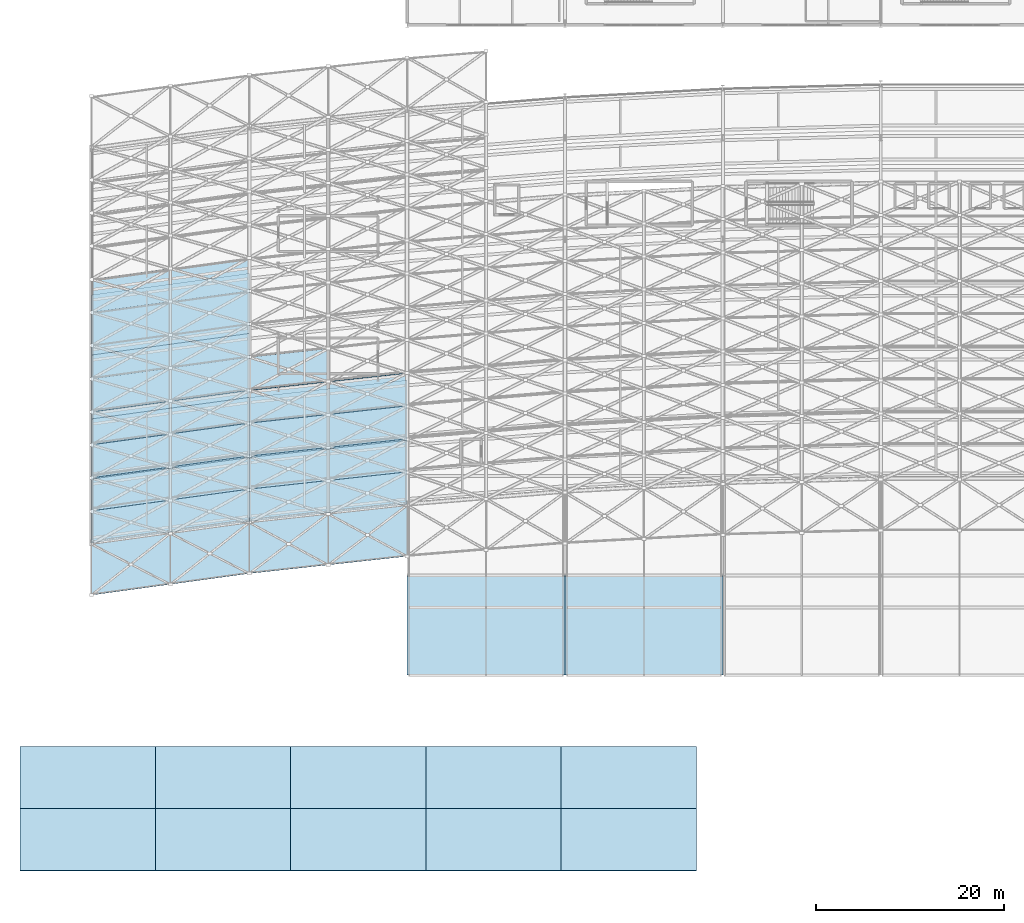
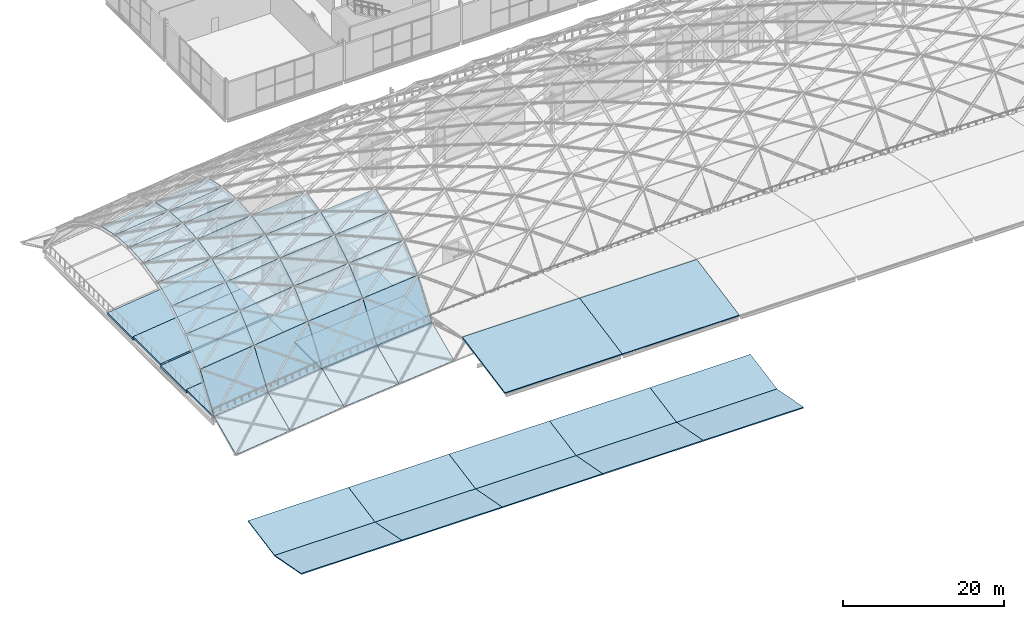
# One storey, part 63 of 100: 29 plates, 18 slabs.
"""IFC4 building model written with IfcOpenShell, lengths in metres."""

from ifc_helpers import new_model, si_unit, direction, frame, origin, place, context, subcontext, project, spatial, polyline, outline, extrude, material, layer, layer_set, type_object, element, save


model = new_model("IFC4")

# Units and contexts
model_context = context("Model", 3, precision=1e-05, world=origin(), true_north=direction((0.0, 1.0)))
body_context = subcontext(model_context, "Body", "Model", "MODEL_VIEW")
ifc_project = project(units=[si_unit("LENGTHUNIT", "METRE"), si_unit("AREAUNIT", "SQUARE_METRE"), si_unit("VOLUMEUNIT", "CUBIC_METRE"), si_unit("PLANEANGLEUNIT", "RADIAN"), si_unit("MASSUNIT", "GRAM", prefix="KILO")], contexts=[model_context])

# Site, building, storey
site_placement = place(None, origin())
site = spatial("IfcSite", under=ifc_project, at=site_placement, CompositionType="ELEMENT")
building_placement = place(site_placement, origin())
building = spatial("IfcBuilding", under=site, at=building_placement, Name="Kimbaza Rail Terminus", CompositionType="ELEMENT")
storey_placement = place(building_placement, frame((0.0, 0.0, 10.800048828125)))
storey = spatial("IfcBuildingStorey", under=building, at=storey_placement, Name="L02", CompositionType="ELEMENT", Elevation=10.800048828125)

# Plates
ifc_material_1 = material(Name="Insulated pearl-white aluminium cassette", Category="aluminium")
ifc_layer_1 = layer(ifc_material_1, 0.054931640625)
ifc_layer_set_1 = layer_set([ifc_layer_1], Name="Insulated pearl-white aluminium cassette")
plate_type_1 = type_object("IfcPlateType", Name="ARC-PL-VAL-01", PredefinedType="SHEET", material=ifc_layer_set_1)
plate_1_placement = place(storey_placement, frame((21.60498046875, 42.33056640625, -2.39990234375), z_axis=(0.056562472149, -0.41314047139, 0.908909037057), x_axis=(0.990757747619, 0.135643228847, 0.0)))
element("IfcPlate", 1, at=plate_1_placement, inside=storey, type_object=plate_type_1, Name="Vault Insulated Aluminium Cassette VR-00-VA00", PredefinedType="SHEET", context=body_context, shape_type="SweptSolid", body=[
    extrude(outline(polyline([(0.0, 0.0), (8.468403844339614, -2.220446049250313e-16), (9.214441602997093, 5.995283784997782), (0.7460377586574786, 5.995283784997782), (0.0, 0.0)])), origin(), (0.0, 0.0, -1.0), 0.054931640625),
])
plate_2_placement = place(storey_placement, frame((30.0048828125, 43.479248046875, -2.39990234375), z_axis=(0.056574455455, -0.413140190432, 0.908908418951), x_axis=(0.990753872834, 0.135671527834, 0.0)))
element("IfcPlate", 2, at=plate_2_placement, inside=storey, type_object=plate_type_1, Name="Vault Insulated Aluminium Cassette VR-01-VA00", PredefinedType="SHEET", context=body_context, shape_type="SweptSolid", body=[
    extrude(outline(polyline([(0.0, 0.0), (8.468436963816755, 0.0), (9.214630366905743, 5.995264414951728), (0.7461934030889878, 5.995264414951728), (0.0, 0.0)])), origin(), (0.0, 0.0, -1.0), 0.054931640625),
])
plate_3_placement = place(storey_placement, frame((38.405029296875, 44.628173828125, -2.39990234375), z_axis=(0.045133319265, -0.413381267737, 0.909438789021), x_axis=(0.994092533341, 0.108535870365, 0.0)))
element("IfcPlate", 3, at=plate_3_placement, inside=storey, type_object=plate_type_1, Name="Vault Insulated Aluminium Cassette VR-02-VA00", PredefinedType="SHEET", context=body_context, shape_type="SweptSolid", body=[
    extrude(outline(polyline([(0.0, 0.0), (8.43975012057354, 0.0), (9.036697407581325, 6.0119592427539), (0.5969472870077849, 6.0119592427539), (0.0, 0.0)])), origin(), (0.0, 0.0, -1.0), 0.054931640625),
])
plate_4_placement = place(storey_placement, frame((46.804931640625, 45.544189453125, -2.39990234375), z_axis=(0.045120004332, -0.413381516627, 0.90943933658), x_axis=(0.994095994634, 0.108504163297, 0.0)))
element("IfcPlate", 4, at=plate_4_placement, inside=storey, type_object=plate_type_1, Name="Vault Insulated Aluminium Cassette VR-03-VA00", PredefinedType="SHEET", context=body_context, shape_type="SweptSolid", body=[
    extrude(outline(polyline([(0.0, 0.0), (8.43996632522378, 0.0), (9.036739223358413, 6.011976555846837), (0.5967728981346325, 6.011976555846837), (0.0, 0.0)])), origin(), (0.0, 0.0, -1.0), 0.054931640625),
])
ifc_material_2 = material(Name="Insulated pearl-white aluminium cassette", Category="aluminium")
ifc_layer_2 = layer(ifc_material_2, 0.056884765625)
ifc_layer_set_2 = layer_set([ifc_layer_2], Name="Insulated pearl-white aluminium cassette")
plate_type_2 = type_object("IfcPlateType", Name="ARC-PL-VAL-02", PredefinedType="SHEET", material=ifc_layer_set_2)
plate_5_placement = place(storey_placement, frame((21.60498046875, 47.784912109375, 0.06494140625), z_axis=(0.111797155631, -0.81658258245, 0.566298756869), x_axis=(0.990757747619, 0.135643228847, 0.0)))
element("IfcPlate", 5, at=plate_5_placement, inside=storey, type_object=plate_type_2, Name="Vault Insulated Aluminium Cassette VR-00-VA01", PredefinedType="SHEET", context=body_context, shape_type="SweptSolid", body=[
    extrude(outline(polyline([(0.0, 0.0), (8.468403844339614, 0.0), (8.943155145303464, 6.123361696638385), (0.47475130096385004, 6.123361696638386), (0.0, 0.0)])), origin(), (0.0, 0.0, -1.0), 0.056884765625),
])
ifc_material_3 = material(Name="Insulated pearl-white aluminium cassette", Category="aluminium")
ifc_layer_3 = layer(ifc_material_3, 0.05908203125)
ifc_layer_set_3 = layer_set([ifc_layer_3], Name="Insulated pearl-white aluminium cassette")
plate_type_3 = type_object("IfcPlateType", Name="ARC-PL-VAL-03", PredefinedType="SHEET", material=ifc_layer_set_3)
plate_6_placement = place(storey_placement, frame((21.60498046875, 51.300048828125, 5.1318359375), z_axis=(0.091339043118, -0.6671535719, 0.739299188897), x_axis=(0.990757747619, 0.135643228847, 0.0)))
element("IfcPlate", 6, at=plate_6_placement, inside=storey, type_object=plate_type_3, Name="Vault Insulated Aluminium Cassette VR-00-VA02", PredefinedType="SHEET", context=body_context, shape_type="SweptSolid", body=[
    extrude(outline(polyline([(0.0, 0.0), (8.468403844339614, -1.1102230246251565e-16), (8.943155145303464, 4.69045843516038), (0.47475130096385, 4.690458435160381), (0.0, 0.0)])), origin(), (0.0, 0.0, -1.0), 0.05908203125),
])
ifc_material_4 = material(Name="Insulated pearl-white aluminium cassette", Category="aluminium")
ifc_layer_4 = layer(ifc_material_4, 0.06103515625)
ifc_layer_set_4 = layer_set([ifc_layer_4], Name="Insulated pearl-white aluminium cassette")
plate_type_4 = type_object("IfcPlateType", Name="ARC-PL-VAL-04", PredefinedType="SHEET", material=ifc_layer_set_4)
plate_7_placement = place(storey_placement, frame((21.60498046875, 54.81591796875, 8.304443359375), z_axis=(0.071074825118, -0.519140794902, 0.851728362979), x_axis=(0.990757747619, 0.135643228847, 0.0)))
element("IfcPlate", 7, at=plate_7_placement, inside=storey, type_object=plate_type_4, Name="Vault Insulated Aluminium Cassette VR-00-VA03", PredefinedType="SHEET", context=body_context, shape_type="SweptSolid", body=[
    extrude(outline(polyline([(0.0, 0.0), (8.468403844339614, -1.1102230246251565e-16), (8.943155145303464, 4.071312248589512), (0.47475130096385, 4.071312248589512), (0.0, 0.0)])), origin(), (0.0, 0.0, -1.0), 0.06103515625),
])
ifc_material_5 = material(Name="Insulated pearl-white aluminium cassette", Category="aluminium")
ifc_layer_5 = layer(ifc_material_5, 0.06298828125)
ifc_layer_set_5 = layer_set([ifc_layer_5], Name="Insulated pearl-white aluminium cassette")
plate_type_5 = type_object("IfcPlateType", Name="ARC-PL-VAL-05", PredefinedType="SHEET", material=ifc_layer_set_5)
plate_8_placement = place(storey_placement, frame((21.60498046875, 58.332275390625, 10.4482421875), z_axis=(0.050811530578, -0.371055898819, 0.927219342072), x_axis=(0.990753872834, 0.135671527834, 0.0)))
element("IfcPlate", 8, at=plate_8_placement, inside=storey, type_object=plate_type_5, Name="Vault Insulated Aluminium Cassette VR-00-VA04", PredefinedType="SHEET", context=body_context, shape_type="SweptSolid", body=[
    extrude(outline(polyline([(0.0, 0.0), (8.468436963816755, 0.0), (8.94328731123702, 3.739825516549169), (0.474850347420265, 3.7398255165491685), (0.0, 0.0)])), origin(), (0.0, 0.0, -1.0), 0.06298828125),
])
ifc_material_6 = material(Name="Insulated pearl-white aluminium cassette", Category="aluminium")
ifc_layer_6 = layer(ifc_material_6, 0.06494140625)
ifc_layer_set_6 = layer_set([ifc_layer_6], Name="Insulated pearl-white aluminium cassette")
plate_type_6 = type_object("IfcPlateType", Name="ARC-PL-VAL-06", PredefinedType="SHEET", material=ifc_layer_set_6)
plate_9_placement = place(storey_placement, frame((21.60498046875, 61.849365234375, 11.856201171875), z_axis=(0.030494206868, -0.222734094205, 0.974402189358), x_axis=(0.990757747619, 0.135643228847, 0.0)))
element("IfcPlate", 9, at=plate_9_placement, inside=storey, type_object=plate_type_6, Name="Vault Insulated Aluminium Cassette VR-00-VA05", PredefinedType="SHEET", context=body_context, shape_type="SweptSolid", body=[
    extrude(outline(polyline([(0.0, 0.0), (8.468403844339614, 0.0), (8.943155145303464, 3.5587482812946067), (0.47475130096385, 3.5587482812946067), (0.0, 0.0)])), origin(), (0.0, 0.0, -1.0), 0.06494140625),
])
ifc_material_7 = material(Name="Insulated pearl-white aluminium cassette", Category="aluminium")
ifc_layer_7 = layer(ifc_material_7, 0.06689453125)
ifc_layer_set_7 = layer_set([ifc_layer_7], Name="Insulated pearl-white aluminium cassette")
plate_type_7 = type_object("IfcPlateType", Name="ARC-PL-VAL-07", PredefinedType="SHEET", material=ifc_layer_set_7)
plate_10_placement = place(storey_placement, frame((21.60498046875, 65.366943359375, 12.660888671875), z_axis=(0.010172832815, -0.074288051956, 0.997184937115), x_axis=(0.990753872834, 0.135671527834, 0.0)))
element("IfcPlate", 10, at=plate_10_placement, inside=storey, type_object=plate_type_7, Name="Vault Insulated Aluminium Cassette VR-00-VA06", PredefinedType="SHEET", context=body_context, shape_type="SweptSolid", body=[
    extrude(outline(polyline([(0.0, 0.0), (8.468436963816755, 0.0), (8.94328731123702, 3.4774277326634895), (0.474850347420265, 3.47742773266349), (0.0, 0.0)])), origin(), (0.0, 0.0, -1.0), 0.06689453125),
])
ifc_material_8 = material(Name="Insulated pearl-white aluminium cassette", Category="aluminium")
ifc_layer_8 = layer(ifc_material_8, 0.069091796875)
ifc_layer_set_8 = layer_set([ifc_layer_8], Name="Insulated pearl-white aluminium cassette")
plate_type_8 = type_object("IfcPlateType", Name="ARC-PL-VAL-08", PredefinedType="SHEET", material=ifc_layer_set_8)
plate_11_placement = place(storey_placement, frame((21.60498046875, 68.88525390625, 12.923583984375), z_axis=(-0.010170671365, 0.074288053589, 0.997184959041), x_axis=(0.990757747619, 0.135643228847, 0.0)))
element("IfcPlate", 11, at=plate_11_placement, inside=storey, type_object=plate_type_8, Name="Vault Insulated Aluminium Cassette VR-00-VA07", PredefinedType="SHEET", context=body_context, shape_type="SweptSolid", body=[
    extrude(outline(polyline([(0.0, 0.0), (8.468403844339614, 0.0), (8.943155145303464, 3.477441256236461), (0.47475130096385, 3.477441256236461), (0.0, 0.0)])), origin(), (0.0, 0.0, -1.0), 0.069091796875),
])
ifc_material_9 = material(Name="Insulated pearl-white aluminium cassette", Category="aluminium")
ifc_layer_9 = layer(ifc_material_9, 0.071044921875)
ifc_layer_set_9 = layer_set([ifc_layer_9], Name="Insulated pearl-white aluminium cassette")
plate_type_9 = type_object("IfcPlateType", Name="ARC-PL-VAL-09", PredefinedType="SHEET", material=ifc_layer_set_9)
plate_12_placement = place(storey_placement, frame((21.60498046875, 72.404052734375, 12.662109375), z_axis=(-0.030494206868, 0.222734094205, 0.974402189358), x_axis=(0.990757747619, 0.135643228847, 0.0)))
element("IfcPlate", 12, at=plate_12_placement, inside=storey, type_object=plate_type_9, Name="Vault Insulated Aluminium Cassette VR-00-VA08", PredefinedType="SHEET", context=body_context, shape_type="SweptSolid", body=[
    extrude(outline(polyline([(0.0, 0.0), (8.468403844339614, 0.0), (8.943155145303464, 3.5587482812946067), (0.47475130096385, 3.5587482812946067), (0.0, 0.0)])), origin(), (0.0, 0.0, -1.0), 0.071044921875),
])
ifc_material_10 = material(Name="Laminated solar-control low-E glass", Category="glass")
ifc_layer_10 = layer(ifc_material_10, 0.028076171875)
ifc_layer_set_10 = layer_set([ifc_layer_10], Name="Laminated solar-control low-E glass")
plate_type_10 = type_object("IfcPlateType", Name="ARC-PL-VGL-02", PredefinedType="SHEET", material=ifc_layer_set_10)
plate_13_placement = place(storey_placement, frame((30.0048828125, 48.957275390625, 0.048095703125), z_axis=(0.111797155631, -0.81658258245, 0.566298756869), x_axis=(0.990757747619, 0.135643228847, 0.0)))
element("IfcPlate", 13, at=plate_13_placement, inside=storey, type_object=plate_type_10, Name="Vault Solar Glass Cassette VR-01-VA01", PredefinedType="SHEET", context=body_context, shape_type="SweptSolid", body=[
    extrude(outline(polyline([(0.0, 0.0), (8.468403844339614, 0.0), (8.943155145303464, 6.123361696638385), (0.47475130096385004, 6.123361696638386), (0.0, 0.0)])), origin(), (0.0, 0.0, -1.0), 0.028076171875),
])
plate_14_placement = place(storey_placement, frame((38.405029296875, 50.10595703125, 0.048095703125), z_axis=(0.089358703495, -0.818446653945, 0.567591487565), x_axis=(0.994092533341, 0.108535870365, 0.0)))
element("IfcPlate", 14, at=plate_14_placement, inside=storey, type_object=plate_type_10, Name="Vault Solar Glass Cassette VR-02-VA01", PredefinedType="SHEET", context=body_context, shape_type="SweptSolid", body=[
    extrude(outline(polyline([(0.0, 0.0), (8.43975012057354, 0.0), (8.819625666851223, 6.129978942456918), (0.3798755462776812, 6.129978942456918), (0.0, 0.0)])), origin(), (0.0, 0.0, -1.0), 0.028076171875),
])
plate_15_placement = place(storey_placement, frame((46.804931640625, 51.02197265625, 0.048095703125), z_axis=(0.089332498532, -0.818448585594, 0.567592827161), x_axis=(0.994095994634, 0.108504163297, 0.0)))
element("IfcPlate", 15, at=plate_15_placement, inside=storey, type_object=plate_type_10, Name="Vault Solar Glass Cassette VR-03-VA01", PredefinedType="SHEET", context=body_context, shape_type="SweptSolid", body=[
    extrude(outline(polyline([(0.0, 0.0), (8.43996632522378, 0.0), (8.819730896764002, 6.12998581856662), (0.3797645715402207, 6.129985818566619), (0.0, 0.0)])), origin(), (0.0, 0.0, -1.0), 0.028076171875),
])
ifc_material_11 = material(Name="Laminated solar-control low-E glass", Category="glass")
ifc_layer_11 = layer(ifc_material_11, 0.030029296875)
ifc_layer_set_11 = layer_set([ifc_layer_11], Name="Laminated solar-control low-E glass")
plate_type_11 = type_object("IfcPlateType", Name="ARC-PL-VGL-03", PredefinedType="SHEET", material=ifc_layer_set_11)
plate_16_placement = place(storey_placement, frame((30.0048828125, 52.46826171875, 5.110107421875), z_axis=(0.091342901813, -0.667181756369, 0.739273277115), x_axis=(0.990757747619, 0.135643228847, 0.0)))
element("IfcPlate", 16, at=plate_16_placement, inside=storey, type_object=plate_type_11, Name="Vault Solar Glass Cassette VR-01-VA02", PredefinedType="SHEET", context=body_context, shape_type="SweptSolid", body=[
    extrude(outline(polyline([(0.0, 0.0), (8.468403844339614, -1.1102230246251565e-16), (8.943155145303464, 4.690622837337354), (0.47475130096385004, 4.690622837337355), (0.0, 0.0)])), origin(), (0.0, 0.0, -1.0), 0.030029296875),
])
plate_17_placement = place(storey_placement, frame((38.405029296875, 53.616943359375, 5.110107421875), z_axis=(0.072954351367, -0.668197304028, 0.740398558552), x_axis=(0.994092533341, 0.108535870365, 0.0)))
element("IfcPlate", 17, at=plate_17_placement, inside=storey, type_object=plate_type_11, Name="Vault Solar Glass Cassette VR-02-VA02", PredefinedType="SHEET", context=body_context, shape_type="SweptSolid", body=[
    extrude(outline(polyline([(0.0, 0.0), (8.43975012057354, -2.220446049250313e-16), (8.819625666851223, 4.699258023268975), (0.3798755462776812, 4.699258023268975), (0.0, 0.0)])), origin(), (0.0, 0.0, -1.0), 0.030029296875),
])
plate_18_placement = place(storey_placement, frame((46.804931640625, 54.532958984375, 5.110107421875), z_axis=(0.072932899678, -0.668198355193, 0.740399723299), x_axis=(0.994095994634, 0.108504163297, 0.0)))
element("IfcPlate", 18, at=plate_18_placement, inside=storey, type_object=plate_type_11, Name="Vault Solar Glass Cassette VR-03-VA02", PredefinedType="SHEET", context=body_context, shape_type="SweptSolid", body=[
    extrude(outline(polyline([(0.0, 0.0), (8.43996632522378, 1.1102230246251565e-16), (8.819730896764002, 4.699266992853298), (0.3797645715402207, 4.699266992853298), (0.0, 0.0)])), origin(), (0.0, 0.0, -1.0), 0.030029296875),
])
ifc_material_12 = material(Name="Laminated solar-control low-E glass", Category="glass")
ifc_layer_12 = layer(ifc_material_12, 0.031982421875)
ifc_layer_set_12 = layer_set([ifc_layer_12], Name="Laminated solar-control low-E glass")
plate_type_12 = type_object("IfcPlateType", Name="ARC-PL-VGL-04", PredefinedType="SHEET", material=ifc_layer_set_12)
plate_19_placement = place(storey_placement, frame((30.0048828125, 55.979736328125, 8.27978515625), z_axis=(0.071068924107, -0.519097693062, 0.85175512507), x_axis=(0.990757747619, 0.135643228847, 0.0)))
element("IfcPlate", 19, at=plate_19_placement, inside=storey, type_object=plate_type_12, Name="Vault Solar Glass Cassette VR-01-VA03", PredefinedType="SHEET", context=body_context, shape_type="SweptSolid", body=[
    extrude(outline(polyline([(0.0, 0.0), (8.468403844339614, 0.0), (8.943155145303464, 4.071184328220419), (0.47475130096385, 4.071184328220419), (0.0, 0.0)])), origin(), (0.0, 0.0, -1.0), 0.031982421875),
])
plate_20_placement = place(storey_placement, frame((38.405029296875, 57.12841796875, 8.27978515625), z_axis=(0.056727704658, -0.519575578514, 0.852539257592), x_axis=(0.994092533341, 0.108535870365, 0.0)))
element("IfcPlate", 20, at=plate_20_placement, inside=storey, type_object=plate_type_12, Name="Vault Solar Glass Cassette VR-02-VA03", PredefinedType="SHEET", context=body_context, shape_type="SweptSolid", body=[
    extrude(outline(polyline([(0.0, 0.0), (8.43975012057354, 0.0), (8.819625666851223, 4.0811303828050685), (0.3798755462776813, 4.0811303828050685), (0.0, 0.0)])), origin(), (0.0, 0.0, -1.0), 0.031982421875),
])
plate_21_placement = place(storey_placement, frame((46.804931640625, 58.04443359375, 8.27978515625), z_axis=(0.056726059277, -0.519575627167, 0.852539337423), x_axis=(0.994092874093, 0.108532749334, 0.0)))
element("IfcPlate", 21, at=plate_21_placement, inside=storey, type_object=plate_type_12, Name="Vault Solar Glass Cassette VR-03-VA03", PredefinedType="SHEET", context=body_context, shape_type="SweptSolid", body=[
    extrude(outline(polyline([(0.0, 0.0), (8.439992818987536, 0.0), (8.819857441654904, 4.08113139957049), (0.37986462266736853, 4.0811313995704905), (0.0, 0.0)])), origin(), (0.0, 0.0, -1.0), 0.031982421875),
])
ifc_material_13 = material(Name="Laminated solar-control low-E glass", Category="glass")
ifc_layer_13 = layer(ifc_material_13, 0.033935546875)
ifc_layer_set_13 = layer_set([ifc_layer_13], Name="Laminated solar-control low-E glass")
plate_type_13 = type_object("IfcPlateType", Name="ARC-PL-VGL-05", PredefinedType="SHEET", material=ifc_layer_set_13)
plate_22_placement = place(storey_placement, frame((30.0048828125, 59.491943359375, 10.421142578125), z_axis=(0.050800761265, -0.371056102366, 0.92721985071), x_axis=(0.990757747619, 0.135643228847, 0.0)))
element("IfcPlate", 22, at=plate_22_placement, inside=storey, type_object=plate_type_13, Name="Vault Solar Glass Cassette VR-01-VA04", PredefinedType="SHEET", context=body_context, shape_type="SweptSolid", body=[
    extrude(outline(polyline([(0.0, 0.0), (8.468403844339614, -2.220446049250313e-16), (8.943155145303464, 3.7398380912695313), (0.47475130096385, 3.7398380912695313), (0.0, 0.0)])), origin(), (0.0, 0.0, -1.0), 0.033935546875),
])
plate_23_placement = place(storey_placement, frame((38.405029296875, 60.640625, 10.421142578125), z_axis=(0.040531265198, -0.371230524658, 0.927655708819), x_axis=(0.994092533341, 0.108535870365, 0.0)))
element("IfcPlate", 23, at=plate_23_placement, inside=storey, type_object=plate_type_13, Name="Vault Solar Glass Cassette VR-02-VA04", PredefinedType="SHEET", context=body_context, shape_type="SweptSolid", body=[
    extrude(outline(polyline([(0.0, 0.0), (8.43975012057354, 0.0), (8.819625666851223, 3.7506629168745125), (0.3798755462776813, 3.7506629168745134), (0.0, 0.0)])), origin(), (0.0, 0.0, -1.0), 0.033935546875),
])
plate_24_placement = place(storey_placement, frame((46.804931640625, 61.556640625, 10.421142578125), z_axis=(0.04051930321, -0.371230704913, 0.927656159252), x_axis=(0.994095994634, 0.108504163297, 0.0)))
element("IfcPlate", 24, at=plate_24_placement, inside=storey, type_object=plate_type_13, Name="Vault Solar Glass Cassette VR-03-VA04", PredefinedType="SHEET", context=body_context, shape_type="SweptSolid", body=[
    extrude(outline(polyline([(0.0, 0.0), (8.43996632522378, 0.0), (8.819730896764002, 3.750674154986043), (0.3797645715402207, 3.7506741549860436), (0.0, 0.0)])), origin(), (0.0, 0.0, -1.0), 0.033935546875),
])
ifc_material_14 = material(Name="Laminated solar-control low-E glass", Category="glass")
ifc_layer_14 = layer(ifc_material_14, 0.035888671875)
ifc_layer_set_14 = layer_set([ifc_layer_14], Name="Laminated solar-control low-E glass")
plate_type_14 = type_object("IfcPlateType", Name="ARC-PL-VGL-06", PredefinedType="SHEET", material=ifc_layer_set_14)
plate_25_placement = place(storey_placement, frame((30.0048828125, 63.004638671875, 11.827880859375), z_axis=(0.030494206868, -0.222734094205, 0.974402189358), x_axis=(0.990757747619, 0.135643228847, 0.0)))
element("IfcPlate", 25, at=plate_25_placement, inside=storey, type_object=plate_type_14, Name="Vault Solar Glass Cassette VR-01-VA05", PredefinedType="SHEET", context=body_context, shape_type="SweptSolid", body=[
    extrude(outline(polyline([(0.0, 0.0), (8.468403844339614, 0.0), (8.943155145303464, 3.5587482812946067), (0.47475130096385, 3.5587482812946067), (0.0, 0.0)])), origin(), (0.0, 0.0, -1.0), 0.035888671875),
])
plate_26_placement = place(storey_placement, frame((38.405029296875, 64.1533203125, 11.827880859375), z_axis=(0.024322415435, -0.22277180342, 0.974567157105), x_axis=(0.994092533341, 0.108535870365, 0.0)))
element("IfcPlate", 26, at=plate_26_placement, inside=storey, type_object=plate_type_14, Name="Vault Solar Glass Cassette VR-02-VA05", PredefinedType="SHEET", context=body_context, shape_type="SweptSolid", body=[
    extrude(outline(polyline([(0.0, 0.0), (8.43975012057354, 0.0), (8.819625666851223, 3.5701222243397246), (0.3798755462776813, 3.570122224339724), (0.0, 0.0)])), origin(), (0.0, 0.0, -1.0), 0.035888671875),
])
ifc_material_15 = material(Name="Laminated solar-control low-E glass", Category="glass")
ifc_layer_15 = layer(ifc_material_15, 0.0380859375)
ifc_layer_set_15 = layer_set([ifc_layer_15], Name="Laminated solar-control low-E glass")
plate_type_15 = type_object("IfcPlateType", Name="ARC-PL-VGL-07", PredefinedType="SHEET", material=ifc_layer_set_15)
plate_27_placement = place(storey_placement, frame((30.0048828125, 66.517822265625, 12.632080078125), z_axis=(0.010163361168, -0.074218884378, 0.997190184113), x_axis=(0.990753872834, 0.135671527834, 0.0)))
element("IfcPlate", 27, at=plate_27_placement, inside=storey, type_object=plate_type_15, Name="Vault Solar Glass Cassette VR-01-VA06", PredefinedType="SHEET", context=body_context, shape_type="SweptSolid", body=[
    extrude(outline(polyline([(0.0, 0.0), (8.468436963816755, 0.0), (8.94328731123702, 3.477409435194617), (0.474850347420265, 3.477409435194617), (0.0, 0.0)])), origin(), (0.0, 0.0, -1.0), 0.0380859375),
])
ifc_material_16 = material(Name="Laminated solar-control low-E glass", Category="glass")
ifc_layer_16 = layer(ifc_material_16, 0.0400390625)
ifc_layer_set_16 = layer_set([ifc_layer_16], Name="Laminated solar-control low-E glass")
plate_type_16 = type_object("IfcPlateType", Name="ARC-PL-VGL-08", PredefinedType="SHEET", material=ifc_layer_set_16)
plate_28_placement = place(storey_placement, frame((30.0048828125, 70.03173828125, 12.894775390625), z_axis=(-0.010172832815, 0.074288051956, 0.997184937115), x_axis=(0.990753872834, 0.135671527834, 0.0)))
element("IfcPlate", 28, at=plate_28_placement, inside=storey, type_object=plate_type_16, Name="Vault Solar Glass Cassette VR-01-VA07", PredefinedType="SHEET", context=body_context, shape_type="SweptSolid", body=[
    extrude(outline(polyline([(0.0, 0.0), (8.468436963816755, 0.0), (8.94328731123702, 3.4774277326634895), (0.474850347420265, 3.47742773266349), (0.0, 0.0)])), origin(), (0.0, 0.0, -1.0), 0.0400390625),
])
ifc_material_17 = material(Name="Laminated solar-control low-E glass", Category="glass")
ifc_layer_17 = layer(ifc_material_17, 0.0419921875)
ifc_layer_set_17 = layer_set([ifc_layer_17], Name="Laminated solar-control low-E glass")
plate_type_17 = type_object("IfcPlateType", Name="ARC-PL-VGL-09", PredefinedType="SHEET", material=ifc_layer_set_17)
plate_29_placement = place(storey_placement, frame((30.0048828125, 73.54638671875, 12.6337890625), z_axis=(-0.030494206868, 0.222734094205, 0.974402189358), x_axis=(0.990757747619, 0.135643228847, 0.0)))
element("IfcPlate", 29, at=plate_29_placement, inside=storey, type_object=plate_type_17, Name="Vault Solar Glass Cassette VR-01-VA08", PredefinedType="SHEET", context=body_context, shape_type="SweptSolid", body=[
    extrude(outline(polyline([(0.0, 0.0), (8.468403844339614, 0.0), (8.943155145303464, 3.5587482812946067), (0.47475130096385, 3.5587482812946067), (0.0, 0.0)])), origin(), (0.0, 0.0, -1.0), 0.0419921875),
])

# Slabs
ifc_material_18 = material(Name="Concrete C40/50", Category="concrete")
ifc_layer_18 = layer(ifc_material_18, 0.14501953125)
ifc_layer_set_18 = layer_set([ifc_layer_18], Name="Concrete C40/50")
slab_type_1 = type_object("IfcSlabType", Name="STR-SL-CN145", PredefinedType="ROOF", material=ifc_layer_set_18)
slab_1_placement = place(storey_placement, frame((14.0, 13.0, 0.050048828125), z_axis=(0.0, 0.186083228677, 0.982533985166), x_axis=(1.0, 0.0, 0.0)))
element("IfcSlab", 30, at=slab_1_placement, inside=storey, type_object=slab_type_1, Name="Forecourt Gull-Wing Canopy South 1", PredefinedType="ROOF", context=body_context, shape_type="SweptSolid", body=[
    extrude(outline(polyline([(0.0, 0.0), (14.39990234375, 0.0), (14.39990234375, 6.717424288522852), (0.0, 6.717424288522852), (0.0, 0.0)])), origin(), (0.0, 0.0, -1.0), 0.14501953125),
])
slab_2_placement = place(storey_placement, frame((14.0, 19.60009765625, -1.199951171875), z_axis=(0.0, -0.186089873865, 0.982532726602), x_axis=(1.0, 0.0, 0.0)))
element("IfcSlab", 31, at=slab_2_placement, inside=storey, type_object=slab_type_1, Name="Forecourt Gull-Wing Canopy North 1", PredefinedType="ROOF", context=body_context, shape_type="SweptSolid", body=[
    extrude(outline(polyline([(0.0, 0.0), (14.39990234375, 0.0), (14.39990234375, 6.71718441221526), (0.0, 6.71718441221526), (0.0, 0.0)])), origin(), (0.0, 0.0, -1.0), 0.14501953125),
])
slab_3_placement = place(storey_placement, frame((28.39990234375, 13.0, 0.050048828125), z_axis=(0.0, 0.186083228677, 0.982533985166), x_axis=(1.0, 0.0, 0.0)))
element("IfcSlab", 32, at=slab_3_placement, inside=storey, type_object=slab_type_1, Name="Forecourt Gull-Wing Canopy South 2", PredefinedType="ROOF", context=body_context, shape_type="SweptSolid", body=[
    extrude(outline(polyline([(0.0, 0.0), (14.400146484375, 0.0), (14.400146484375, 6.717424288522852), (0.0, 6.717424288522852), (0.0, 0.0)])), origin(), (0.0, 0.0, -1.0), 0.14501953125),
])
slab_4_placement = place(storey_placement, frame((28.39990234375, 19.60009765625, -1.199951171875), z_axis=(0.0, -0.186089873865, 0.982532726602), x_axis=(1.0, 0.0, 0.0)))
element("IfcSlab", 33, at=slab_4_placement, inside=storey, type_object=slab_type_1, Name="Forecourt Gull-Wing Canopy North 2", PredefinedType="ROOF", context=body_context, shape_type="SweptSolid", body=[
    extrude(outline(polyline([(0.0, 0.0), (14.400146484375, 0.0), (14.400146484375, 6.71718441221526), (0.0, 6.71718441221526), (0.0, 0.0)])), origin(), (0.0, 0.0, -1.0), 0.14501953125),
])
slab_5_placement = place(storey_placement, frame((42.800048828125, 13.0, 0.050048828125), z_axis=(0.0, 0.186083228677, 0.982533985166), x_axis=(1.0, 0.0, 0.0)))
element("IfcSlab", 34, at=slab_5_placement, inside=storey, type_object=slab_type_1, Name="Forecourt Gull-Wing Canopy South 3", PredefinedType="ROOF", context=body_context, shape_type="SweptSolid", body=[
    extrude(outline(polyline([(0.0, 0.0), (14.39990234375, 0.0), (14.39990234375, 6.717424288522852), (0.0, 6.717424288522852), (0.0, 0.0)])), origin(), (0.0, 0.0, -1.0), 0.14501953125),
])
slab_6_placement = place(storey_placement, frame((42.800048828125, 19.60009765625, -1.199951171875), z_axis=(0.0, -0.186089873865, 0.982532726602), x_axis=(1.0, 0.0, 0.0)))
element("IfcSlab", 35, at=slab_6_placement, inside=storey, type_object=slab_type_1, Name="Forecourt Gull-Wing Canopy North 3", PredefinedType="ROOF", context=body_context, shape_type="SweptSolid", body=[
    extrude(outline(polyline([(0.0, 0.0), (14.39990234375, 0.0), (14.39990234375, 6.71718441221526), (0.0, 6.71718441221526), (0.0, 0.0)])), origin(), (0.0, 0.0, -1.0), 0.14501953125),
])
slab_7_placement = place(storey_placement, frame((57.199951171875, 13.0, 0.050048828125), z_axis=(0.0, 0.186083228677, 0.982533985166), x_axis=(1.0, 0.0, 0.0)))
element("IfcSlab", 36, at=slab_7_placement, inside=storey, type_object=slab_type_1, Name="Forecourt Gull-Wing Canopy South 4", PredefinedType="ROOF", context=body_context, shape_type="SweptSolid", body=[
    extrude(outline(polyline([(0.0, 0.0), (14.400146484375, 0.0), (14.400146484375, 6.717424288522852), (0.0, 6.717424288522852), (0.0, 0.0)])), origin(), (0.0, 0.0, -1.0), 0.14501953125),
])
slab_8_placement = place(storey_placement, frame((57.199951171875, 19.60009765625, -1.199951171875), z_axis=(0.0, -0.186089873865, 0.982532726602), x_axis=(1.0, 0.0, 0.0)))
element("IfcSlab", 37, at=slab_8_placement, inside=storey, type_object=slab_type_1, Name="Forecourt Gull-Wing Canopy North 4", PredefinedType="ROOF", context=body_context, shape_type="SweptSolid", body=[
    extrude(outline(polyline([(0.0, 0.0), (14.400146484375, 0.0), (14.400146484375, 6.71718441221526), (0.0, 6.71718441221526), (0.0, 0.0)])), origin(), (0.0, 0.0, -1.0), 0.14501953125),
])
slab_9_placement = place(storey_placement, frame((71.60009765625, 13.0, 0.050048828125), z_axis=(0.0, 0.186083228677, 0.982533985166), x_axis=(1.0, 0.0, 0.0)))
element("IfcSlab", 38, at=slab_9_placement, inside=storey, type_object=slab_type_1, Name="Forecourt Gull-Wing Canopy South 5", PredefinedType="ROOF", context=body_context, shape_type="SweptSolid", body=[
    extrude(outline(polyline([(0.0, 0.0), (14.39990234375, 0.0), (14.39990234375, 6.717424288522852), (0.0, 6.717424288522852), (0.0, 0.0)])), origin(), (0.0, 0.0, -1.0), 0.14501953125),
])
slab_10_placement = place(storey_placement, frame((71.60009765625, 19.60009765625, -1.199951171875), z_axis=(0.0, -0.186089873865, 0.982532726602), x_axis=(1.0, 0.0, 0.0)))
element("IfcSlab", 39, at=slab_10_placement, inside=storey, type_object=slab_type_1, Name="Forecourt Gull-Wing Canopy North 5", PredefinedType="ROOF", context=body_context, shape_type="SweptSolid", body=[
    extrude(outline(polyline([(0.0, 0.0), (14.39990234375, 0.0), (14.39990234375, 6.71718441221526), (0.0, 6.71718441221526), (0.0, 0.0)])), origin(), (0.0, 0.0, -1.0), 0.14501953125),
])
ifc_material_19 = material(Name="Precast concrete C40/50", Category="concrete")
ifc_layer_19 = layer(ifc_material_19, 0.260009765625)
ifc_layer_set_19 = layer_set([ifc_layer_19], Name="Precast concrete C40/50")
slab_type_2 = type_object("IfcSlabType", Name="STR-SL-PLT260", PredefinedType="FLOOR", material=ifc_layer_set_19)
slab_11_placement = place(storey_placement, frame((0.0, 0.0, -0.260009765625)))
element("IfcSlab", 40, at=slab_11_placement, inside=storey, type_object=slab_type_2, Name="Viaduct Platform 1 South Regional Bay 01", PredefinedType="FLOOR", context=body_context, shape_type="SweptSolid", body=[
    extrude(outline(polyline([(21.60009765625, 47.8759765625), (38.39990234375, 50.173583984375), (38.39990234375, 56.9736328125), (21.60009765625, 54.676025390625), (21.60009765625, 47.8759765625)])), origin(), (0.0, 0.0, 1.0), 0.260009765625),
])
slab_12_placement = place(storey_placement, frame((0.0, 0.0, -0.260009765625)))
element("IfcSlab", 41, at=slab_12_placement, inside=storey, type_object=slab_type_2, Name="Viaduct Platform 2-3 South Island Bay 01", PredefinedType="FLOOR", context=body_context, shape_type="SweptSolid", body=[
    extrude(outline(polyline([(21.60009765625, 61.075927734375), (38.39990234375, 63.37353515625), (38.39990234375, 70.173583984375), (21.60009765625, 67.8759765625), (21.60009765625, 61.075927734375)])), origin(), (0.0, 0.0, 1.0), 0.260009765625),
])
slab_13_placement = place(storey_placement, frame((0.0, 0.0, -0.260009765625)))
element("IfcSlab", 42, at=slab_13_placement, inside=storey, type_object=slab_type_2, Name="Viaduct Platform 1 South Regional Bay 02", PredefinedType="FLOOR", context=body_context, shape_type="SweptSolid", body=[
    extrude(outline(polyline([(38.39990234375, 50.173583984375), (55.199951171875, 52.00537109375), (55.199951171875, 58.805419921875), (38.39990234375, 56.9736328125), (38.39990234375, 50.173583984375)])), origin(), (0.0, 0.0, 1.0), 0.260009765625),
])
ifc_material_20 = material(Name="Concrete C40/50", Category="concrete")
ifc_layer_20 = layer(ifc_material_20, 0.175048828125)
ifc_layer_set_20 = layer_set([ifc_layer_20], Name="Concrete C40/50")
slab_type_3 = type_object("IfcSlabType", Name="STR-SL-RF175", PredefinedType="ROOF", material=ifc_layer_set_20)
for number, where, z_axis, x_axis, name in (
    (43, (55.199951171875, 33.800048828125, 0.39990234375), (0.0, -0.190400496041, 0.981706499473), (1.0, 0.0, 0.0), "South Concourse Dual-Pitch Roof South Slope Bay 1"),
    (44, (72.0, 33.800048828125, 0.39990234375), (0.0, -0.190400496041, 0.981706499473), (1.0, 0.0, 0.0), "South Concourse Dual-Pitch Roof South Slope Bay 2"),
):
    element("IfcSlab", number, at=place(storey_placement, frame(where, z_axis=z_axis, x_axis=x_axis)), inside=storey, type_object=slab_type_3, Name=name, PredefinedType="ROOF", context=body_context, shape_type="SweptSolid", body=[
        extrude(outline(polyline([(0.0, 0.0), (16.800048828125, 0.0), (16.800048828125, 10.767035122054596), (0.0, 10.767035122054596), (0.0, 0.0)])), origin(), (0.0, 0.0, -1.0), 0.175048828125),
    ])
ifc_material_21 = material(Name="Concrete C40/50", Category="concrete")
ifc_layer_21 = layer(ifc_material_21, 0.320068359375)
ifc_layer_set_21 = layer_set([ifc_layer_21], Name="Concrete C40/50")
slab_type_4 = type_object("IfcSlabType", Name="STR-SL-TRK320", PredefinedType="FLOOR", material=ifc_layer_set_21)
slab_14_placement = place(storey_placement, frame((0.0, 0.0, -0.570068359375)))
element("IfcSlab", 45, at=slab_14_placement, inside=storey, type_object=slab_type_4, Name="Viaduct Track Bed 1-2 Bay 01", PredefinedType="FLOOR", context=body_context, shape_type="SweptSolid", body=[
    extrude(outline(polyline([(21.60009765625, 54.676025390625), (38.39990234375, 56.9736328125), (38.39990234375, 63.37353515625), (21.60009765625, 61.075927734375), (21.60009765625, 54.676025390625)])), origin(), (0.0, 0.0, 1.0), 0.320068359375),
])
slab_15_placement = place(storey_placement, frame((0.0, 0.0, -0.570068359375)))
element("IfcSlab", 46, at=slab_15_placement, inside=storey, type_object=slab_type_4, Name="Viaduct Track Bed 3-4 Bay 01", PredefinedType="FLOOR", context=body_context, shape_type="SweptSolid", body=[
    extrude(outline(polyline([(21.60009765625, 67.8759765625), (38.39990234375, 70.173583984375), (38.39990234375, 76.573486328125), (21.60009765625, 74.27587890625), (21.60009765625, 67.8759765625)])), origin(), (0.0, 0.0, 1.0), 0.320068359375),
])
slab_16_placement = place(storey_placement, frame((0.0, 0.0, -0.570068359375)))
element("IfcSlab", 47, at=slab_16_placement, inside=storey, type_object=slab_type_4, Name="Viaduct Track Bed 1-2 Bay 02", PredefinedType="FLOOR", context=body_context, shape_type="SweptSolid", body=[
    extrude(outline(polyline([(38.39990234375, 56.9736328125), (55.199951171875, 58.805419921875), (55.199951171875, 65.205322265625), (38.39990234375, 63.37353515625), (38.39990234375, 56.9736328125)])), origin(), (0.0, 0.0, 1.0), 0.320068359375),
])

save(model, "model.ifc")
